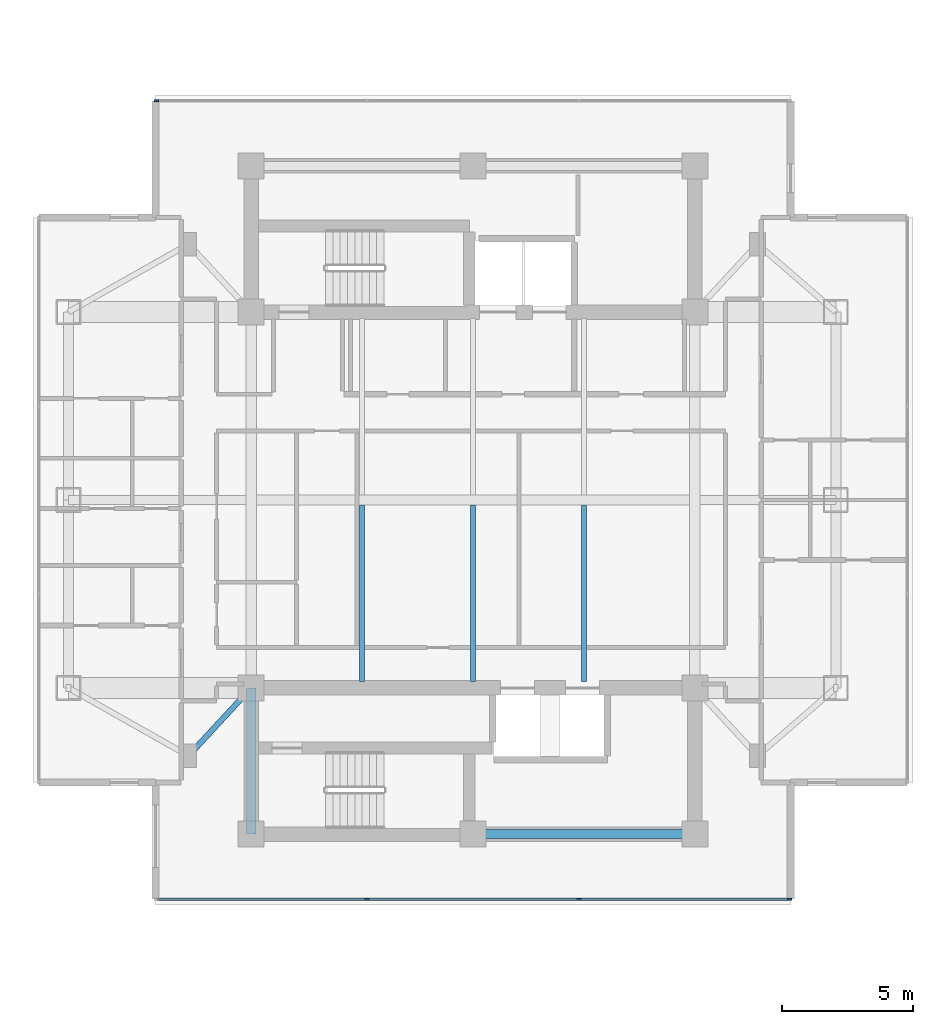
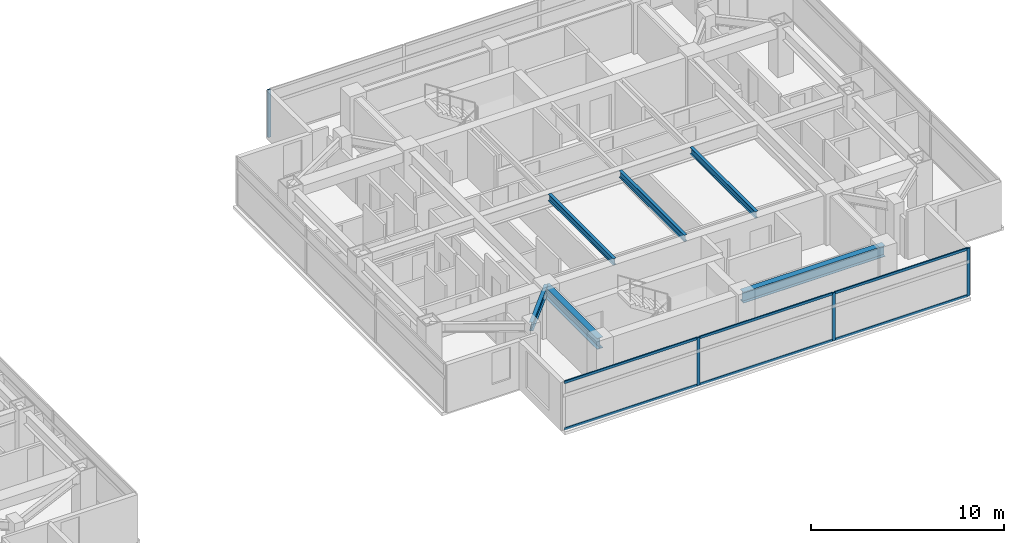
# One storey, part 9 of 24: 10 members, 6 beams, 2 elements without a shape of their own.
"""IFC4 building model written with IfcOpenShell, lengths in metres."""

from ifc_helpers import new_model, si_unit, direction, frame, origin, origin_2d, place, context, subcontext, project, spatial, rectangle, i_section, extrude, material, material_profile, profile_set, type_object, element, aggregate, save


model = new_model("IFC4")

# Units and contexts
model_context = context("Model", 3, precision=1e-05, world=origin(), true_north=direction((0.0, 1.0)))
body_context = subcontext(model_context, "Body", "Model", "MODEL_VIEW")
ifc_project = project(units=[si_unit("LENGTHUNIT", "METRE"), si_unit("AREAUNIT", "SQUARE_METRE"), si_unit("VOLUMEUNIT", "CUBIC_METRE"), si_unit("PLANEANGLEUNIT", "RADIAN"), si_unit("MASSUNIT", "GRAM", prefix="KILO")], contexts=[model_context])

# Site, building, storey
site_placement = place(None, origin())
site = spatial("IfcSite", under=ifc_project, at=site_placement, CompositionType="ELEMENT")
building_placement = place(site_placement, origin())
building = spatial("IfcBuilding", under=site, at=building_placement, Name="Mirazonda Arch Towers", CompositionType="ELEMENT")
storey_placement = place(building_placement, frame((0.0, 0.0, 154.39990234375)))
storey = spatial("IfcBuildingStorey", under=building, at=storey_placement, Name="L43", CompositionType="ELEMENT", Elevation=154.39990234375)

# Beams
ifc_material_1 = material(Name="Steel ASTM A992 Grade 50", Category="steel")
ifc_material_profile_1 = material_profile(ifc_material_1, i_section(OverallWidth=0.180908203125, OverallDepth=0.4169921875, WebThickness=0.010986328125, FlangeThickness=0.018310546875, at=origin_2d()), Name="W16X57")
ifc_profile_set_1 = profile_set([ifc_material_profile_1], Name="Steel ASTM A992 Grade 50")
beam_type_1 = type_object("IfcBeamType", Name="BM-INT-W16X57", PredefinedType="JOIST", material=ifc_profile_set_1)
for number, where, z_axis, x_axis, name in (
    (1, (72.25, 21.0400390625, 2.841552734375), (0.0, 1.0, 0.0), (-1.0, 0.0, 0.0), "L43 Floor Beam BM-T2-L43-J-722-20"),
    (2, (76.5, 21.0400390625, 2.841552734375), (0.0, 1.0, 0.0), (-1.0, 0.0, 0.0), "L43 Floor Beam BM-T2-L43-J-765-20"),
    (3, (80.75, 21.0400390625, 2.841552734375), (0.0, 1.0, 0.0), (-1.0, 0.0, 0.0), "L43 Floor Beam BM-T2-L43-J-807-20"),
):
    element("IfcBeam", number, at=place(storey_placement, frame(where, z_axis=z_axis, x_axis=x_axis)), inside=storey, type_object=beam_type_1, Name=name, PredefinedType="JOIST", context=body_context, shape_type="SweptSolid", body=[
        extrude(i_section(OverallWidth=0.180908203125, OverallDepth=0.4169921875, WebThickness=0.010986328125, FlangeThickness=0.018310546875, at=origin_2d()), origin(), (0.0, 0.0, 1.0), 6.763916015625),
    ])
ifc_material_profile_2 = material_profile(ifc_material_1, i_section(OverallWidth=0.214111328125, OverallDepth=0.549072265625, WebThickness=0.0146484375, FlangeThickness=0.023681640625, at=origin_2d()), Name="W21X93")
ifc_profile_set_2 = profile_set([ifc_material_profile_2], Name="Steel ASTM A992 Grade 50")
beam_type_2 = type_object("IfcBeamType", Name="BM-INT-W21X93", PredefinedType="BEAM", material=ifc_profile_set_2)
beam_1_placement = place(storey_placement, frame((65.60009765625, 18.199951171875, 2.775634765625), z_axis=(0.678251444854, 0.734829897019, 0.0), x_axis=(-0.734829897019, 0.678251444854, 0.0)))
element("IfcBeam", 4, at=beam_1_placement, inside=storey, type_object=beam_type_2, Name="L43 Floor Beam BM-T2-L43-PL-SW1", PredefinedType="BEAM", context=body_context, shape_type="SweptSolid", body=[
    extrude(i_section(OverallWidth=0.214111328125, OverallDepth=0.549072265625, WebThickness=0.0146484375, FlangeThickness=0.023681640625, at=origin_2d()), origin(), (0.0, 0.0, 1.0), 3.538330078125),
])
ifc_material_profile_3 = material_profile(ifc_material_1, i_section(OverallWidth=0.35498046875, OverallDepth=0.696044921875, WebThickness=0.015380859375, FlangeThickness=0.02490234375, at=origin_2d()), Name="W27X146")
ifc_profile_set_3 = profile_set([ifc_material_profile_3], Name="Steel ASTM A992 Grade 50")
beam_type_3 = type_object("IfcBeamType", Name="BM-INT-W27X146", PredefinedType="BEAM", material=ifc_profile_set_3)
beam_2_placement = place(storey_placement, frame((76.5, 15.199951171875, 2.7021484375), z_axis=(1.0, 0.0, 0.0), x_axis=(0.0, 1.0, 0.0)))
element("IfcBeam", 5, at=beam_2_placement, inside=storey, type_object=beam_type_3, Name="L43 Floor Beam BM-T2-L43-CS2", PredefinedType="BEAM", context=body_context, shape_type="SweptSolid", body=[
    extrude(i_section(OverallWidth=0.35498046875, OverallDepth=0.696044921875, WebThickness=0.015380859375, FlangeThickness=0.02490234375, at=origin_2d()), origin(), (0.0, 0.0, 1.0), 8.5),
])
beam_3_placement = place(storey_placement, frame((68.0, 15.199951171875, 2.7021484375), z_axis=(0.0, 1.0, 0.0), x_axis=(-1.0, 0.0, 0.0)))
element("IfcBeam", 6, at=beam_3_placement, inside=storey, type_object=beam_type_3, Name="L43 Floor Beam BM-T2-L43-CSW", PredefinedType="BEAM", context=body_context, shape_type="SweptSolid", body=[
    extrude(i_section(OverallWidth=0.35498046875, OverallDepth=0.696044921875, WebThickness=0.015380859375, FlangeThickness=0.02490234375, at=origin_2d()), origin(), (0.0, 0.0, 1.0), 5.60009765625),
])

# Curtain wall, members
ifc_material_2 = material(Name="Anodised Aluminium and Low-E Glass", Category="aluminium")
curtain_wall_type = type_object("IfcCurtainWallType", Name="CW-RES-UNIT", PredefinedType="NOTDEFINED", material=ifc_material_2)
curtain_wall_1_placement = place(storey_placement, origin())
curtain_wall_1 = element("IfcCurtainWall", 7, at=curtain_wall_1_placement, inside=storey, type_object=curtain_wall_type, Name="L43 T2 S Facade CW-L43-T2-S", PredefinedType="NOTDEFINED")
ifc_material_3 = material(Name="Anodised Aluminium Alloy", Category="aluminium")
ifc_material_profile_4 = material_profile(ifc_material_3, rectangle(XDim=0.074951171875, YDim=0.175048828125, at=origin_2d()), Name="ALU-MULL-75x175")
ifc_profile_set_4 = profile_set([ifc_material_profile_4], Name="Anodised Aluminium Alloy")
member_type_1 = type_object("IfcMemberType", Name="MULL-CW-RES-UNIT", PredefinedType="MULLION", material=ifc_profile_set_4)
member_1_placement = place(storey_placement, frame((88.6298828125, 12.70849609375, 0.0), z_axis=(0.0, 0.0, 1.0), x_axis=(0.0, -1.0, 0.0)))
member_1 = element("IfcMember", 8, at=member_1_placement, type_object=member_type_1, Name="CW-104 mullion 1", PredefinedType="MULLION", context=body_context, shape_type="SweptSolid", body=[
    extrude(rectangle(XDim=0.074951171875, YDim=0.175048828125, at=origin_2d()), origin(), (0.0, 0.0, 1.0), 3.030029296875),
])
member_2_placement = place(storey_placement, frame((80.5556640625, 12.70849609375, 0.0), z_axis=(0.0, 0.0, 1.0), x_axis=(0.0, -1.0, 0.0)))
member_2 = element("IfcMember", 9, at=member_2_placement, type_object=member_type_1, Name="CW-104 mullion 2", PredefinedType="MULLION", context=body_context, shape_type="SweptSolid", body=[
    extrude(rectangle(XDim=0.074951171875, YDim=0.175048828125, at=origin_2d()), origin(), (0.0, 0.0, 1.0), 3.030029296875),
])
member_3_placement = place(storey_placement, frame((72.4443359375, 12.70849609375, 0.0), z_axis=(0.0, 0.0, 1.0), x_axis=(0.0, -1.0, 0.0)))
member_3 = element("IfcMember", 10, at=member_3_placement, type_object=member_type_1, Name="CW-104 mullion 3", PredefinedType="MULLION", context=body_context, shape_type="SweptSolid", body=[
    extrude(rectangle(XDim=0.074951171875, YDim=0.175048828125, at=origin_2d()), origin(), (0.0, 0.0, 1.0), 3.030029296875),
])

# Curtain wall, member
curtain_wall_2_placement = place(storey_placement, origin())
curtain_wall_2 = element("IfcCurtainWall", 11, at=curtain_wall_2_placement, inside=storey, type_object=curtain_wall_type, Name="L43 T2 N Facade CW-L43-T2-N", PredefinedType="NOTDEFINED")
member_4_placement = place(storey_placement, frame((64.3701171875, 43.29150390625, 0.0), z_axis=(0.0, 0.0, 1.0), x_axis=(0.0, 1.0, 0.0)))
member_4 = element("IfcMember", 12, at=member_4_placement, type_object=member_type_1, Name="CW-104 mullion 1", PredefinedType="MULLION", context=body_context, shape_type="SweptSolid", body=[
    extrude(rectangle(XDim=0.074951171875, YDim=0.175048828125, at=origin_2d()), origin(), (0.0, 0.0, 1.0), 3.030029296875),
])
aggregate(curtain_wall_2, [member_4])

# Member
ifc_material_profile_5 = material_profile(ifc_material_3, rectangle(XDim=0.074951171875, YDim=0.155029296875, at=origin_2d()), Name="ALU-TRAN-75x155")
ifc_profile_set_5 = profile_set([ifc_material_profile_5], Name="Anodised Aluminium Alloy")
member_type_2 = type_object("IfcMemberType", Name="TRAN-CW-RES-UNIT", PredefinedType="USERDEFINED", material=ifc_profile_set_5)
member_5_placement = place(storey_placement, frame((88.59228515625, 12.70849609375, 0.03759765625), z_axis=(-1.0, 0.0, 0.0), x_axis=(0.0, -1.0, 0.0)))
member_5 = element("IfcMember", 13, at=member_5_placement, type_object=member_type_2, Name="CW-104 transom 1.1", ObjectType="TRANSOM", PredefinedType="USERDEFINED", context=body_context, shape_type="SweptSolid", body=[
    extrude(rectangle(XDim=0.074951171875, YDim=0.155029296875, at=origin_2d()), origin(), (0.0, 0.0, 1.0), 7.9990234375),
])

member_6_placement = place(storey_placement, frame((88.59228515625, 12.70849609375, 2.99267578125), z_axis=(-1.0, 0.0, 0.0), x_axis=(0.0, -1.0, 0.0)))
member_6 = element("IfcMember", 14, at=member_6_placement, type_object=member_type_2, Name="CW-104 transom 1.2", ObjectType="TRANSOM", PredefinedType="USERDEFINED", context=body_context, shape_type="SweptSolid", body=[
    extrude(rectangle(XDim=0.074951171875, YDim=0.155029296875, at=origin_2d()), origin(), (0.0, 0.0, 1.0), 7.9990234375),
])

member_7_placement = place(storey_placement, frame((80.518310546875, 12.70849609375, 0.03759765625), z_axis=(-1.0, 0.0, 0.0), x_axis=(0.0, -1.0, 0.0)))
member_7 = element("IfcMember", 15, at=member_7_placement, type_object=member_type_2, Name="CW-104 transom 2.1", ObjectType="TRANSOM", PredefinedType="USERDEFINED", context=body_context, shape_type="SweptSolid", body=[
    extrude(rectangle(XDim=0.074951171875, YDim=0.155029296875, at=origin_2d()), origin(), (0.0, 0.0, 1.0), 8.03662109375),
])

member_8_placement = place(storey_placement, frame((80.518310546875, 12.70849609375, 2.99267578125), z_axis=(-1.0, 0.0, 0.0), x_axis=(0.0, -1.0, 0.0)))
member_8 = element("IfcMember", 16, at=member_8_placement, type_object=member_type_2, Name="CW-104 transom 2.2", ObjectType="TRANSOM", PredefinedType="USERDEFINED", context=body_context, shape_type="SweptSolid", body=[
    extrude(rectangle(XDim=0.074951171875, YDim=0.155029296875, at=origin_2d()), origin(), (0.0, 0.0, 1.0), 8.03662109375),
])

member_9_placement = place(storey_placement, frame((72.40673828125, 12.70849609375, 0.03759765625), z_axis=(-1.0, 0.0, 0.0), x_axis=(0.0, -1.0, 0.0)))
member_9 = element("IfcMember", 17, at=member_9_placement, type_object=member_type_2, Name="CW-104 transom 3.1", ObjectType="TRANSOM", PredefinedType="USERDEFINED", context=body_context, shape_type="SweptSolid", body=[
    extrude(rectangle(XDim=0.074951171875, YDim=0.155029296875, at=origin_2d()), origin(), (0.0, 0.0, 1.0), 7.9990234375),
])

member_10_placement = place(storey_placement, frame((72.40673828125, 12.70849609375, 2.99267578125), z_axis=(-1.0, 0.0, 0.0), x_axis=(0.0, -1.0, 0.0)))
member_10 = element("IfcMember", 18, at=member_10_placement, type_object=member_type_2, Name="CW-104 transom 3.2", ObjectType="TRANSOM", PredefinedType="USERDEFINED", context=body_context, shape_type="SweptSolid", body=[
    extrude(rectangle(XDim=0.074951171875, YDim=0.155029296875, at=origin_2d()), origin(), (0.0, 0.0, 1.0), 7.9990234375),
])

aggregate(curtain_wall_1, [member_1, member_2, member_3, member_5, member_6, member_7, member_8, member_9, member_10])

save(model, "model.ifc")
